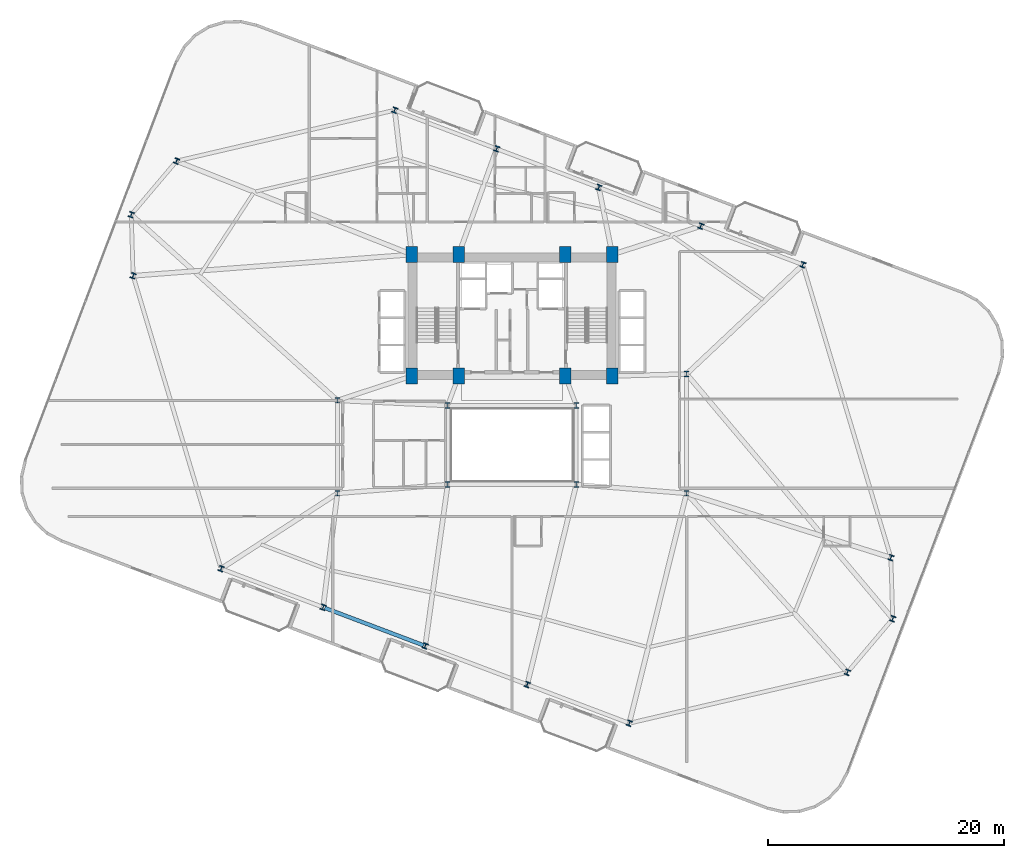
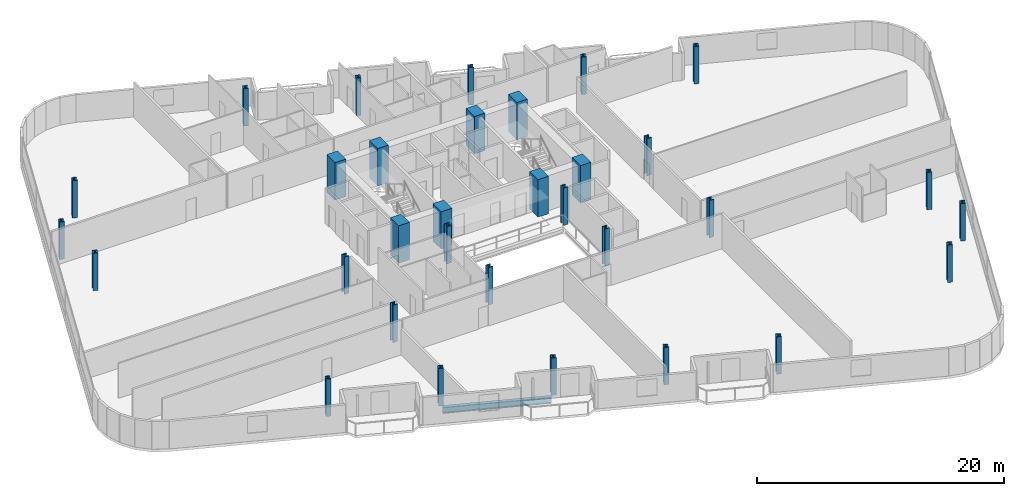
# One storey, part 1 of 24: 32 columns, 1 beam.
"""IFC4 building model written with IfcOpenShell, lengths in metres."""

from ifc_helpers import new_model, si_unit, direction, frame, origin, origin_2d, place, context, subcontext, project, spatial, rectangle, i_section, extrude, material, material_profile, profile_set, type_object, element, save


model = new_model("IFC4")

# Units and contexts
model_context = context("Model", 3, precision=1e-05, world=origin(), true_north=direction((0.0, 1.0)))
body_context = subcontext(model_context, "Body", "Model", "MODEL_VIEW")
ifc_project = project(units=[si_unit("LENGTHUNIT", "METRE"), si_unit("AREAUNIT", "SQUARE_METRE"), si_unit("VOLUMEUNIT", "CUBIC_METRE"), si_unit("PLANEANGLEUNIT", "RADIAN"), si_unit("MASSUNIT", "GRAM", prefix="KILO")], contexts=[model_context])

# Site, building, storey
site_placement = place(None, origin())
site = spatial("IfcSite", under=ifc_project, at=site_placement, CompositionType="ELEMENT")
building_placement = place(site_placement, origin())
building = spatial("IfcBuilding", under=site, at=building_placement, Name="Varnelok Gate Tower", CompositionType="ELEMENT")
storey_placement = place(building_placement, frame((0.0, 0.0, 98.39990234375)))
storey = spatial("IfcBuildingStorey", under=building, at=storey_placement, Name="L24", CompositionType="ELEMENT", Elevation=98.39990234375)

# Columns
ifc_material_1 = material(Name="Concrete C70/85", Category="concrete")
ifc_material_profile_1 = material_profile(ifc_material_1, rectangle(XDim=1.0, YDim=1.35009765625, at=origin_2d()), Name="RC1350X1000")
ifc_profile_set_1 = profile_set([ifc_material_profile_1], Name="Concrete C70/85")
column_type_1 = type_object("IfcColumnType", Name="COL-RC1350X1000", PredefinedType="COLUMN", material=ifc_profile_set_1)
for number, where, z_axis, x_axis, name in (
    (1, (30.699951171875, 28.75, 0.0), (0.0, 0.0, 1.0), (1.0, 0.0, 0.0), "L24 Core Spine Column SC1"),
    (2, (34.679931640625, 28.75, 0.0), (0.0, 0.0, 1.0), (1.0, 0.0, 0.0), "L24 Core Spine Column SC2"),
    (3, (43.719970703125, 28.75, 0.0), (0.0, 0.0, 1.0), (1.0, 0.0, 0.0), "L24 Core Spine Column SC3"),
    (4, (47.699951171875, 28.75, 0.0), (0.0, 0.0, 1.0), (1.0, 0.0, 0.0), "L24 Core Spine Column SC4"),
    (5, (30.699951171875, 39.050048828125, 0.0), (0.0, 0.0, 1.0), (1.0, 0.0, 0.0), "L24 Core Spine Column SC5"),
    (6, (34.679931640625, 39.050048828125, 0.0), (0.0, 0.0, 1.0), (1.0, 0.0, 0.0), "L24 Core Spine Column SC6"),
    (7, (43.719970703125, 39.050048828125, 0.0), (0.0, 0.0, 1.0), (1.0, 0.0, 0.0), "L24 Core Spine Column SC7"),
    (8, (47.699951171875, 39.050048828125, 0.0), (0.0, 0.0, 1.0), (1.0, 0.0, 0.0), "L24 Core Spine Column SC8"),
):
    element("IfcColumn", number, at=place(storey_placement, frame(where, z_axis=z_axis, x_axis=x_axis)), inside=storey, type_object=column_type_1, Name=name, PredefinedType="COLUMN", context=body_context, shape_type="SweptSolid", body=[
        extrude(rectangle(XDim=1.0, YDim=1.35009765625, at=origin_2d()), origin(), (0.0, 0.0, 1.0), 3.7001953125),
    ])
ifc_material_2 = material(Name="Structural Steel ASTM A992 Grade 50", Category="steel")
ifc_material_profile_2 = material_profile(ifc_material_2, i_section(OverallWidth=0.424072265625, OverallDepth=0.47412109375, WebThickness=0.047607421875, FlangeThickness=0.0771484375, FilletRadius=0.02490234375, at=origin_2d()), Name="W14X426")
ifc_profile_set_2 = profile_set([ifc_material_profile_2], Name="Structural Steel ASTM A992 Grade 50")
column_type_2 = type_object("IfcColumnType", Name="COL-W14X426", PredefinedType="COLUMN", material=ifc_profile_set_2)
for number, where, z_axis, x_axis, name in (
    (9, (33.75, 19.550048828125, 0.0), (0.0, 0.0, 1.0), (1.0, 0.0, 0.0), "L24 Atrium Spine Column AC1"),
    (10, (44.64990234375, 19.550048828125, 0.0), (0.0, 0.0, 1.0), (1.0, 0.0, 0.0), "L24 Atrium Spine Column AC2"),
    (11, (33.75, 26.25, 0.0), (0.0, 0.0, 1.0), (1.0, 0.0, 0.0), "L24 Atrium Spine Column AC3"),
    (12, (44.64990234375, 26.25, 0.0), (0.0, 0.0, 1.0), (1.0, 0.0, 0.0), "L24 Atrium Spine Column AC4"),
    (13, (24.39990234375, 18.800048828125, 0.0), (0.0, 0.0, 1.0), (1.0, 0.0, 0.0), "L24 Wing Spine Column WS1"),
    (14, (24.39990234375, 26.679931640625, 0.0), (0.0, 0.0, 1.0), (1.0, 0.0, 0.0), "L24 Wing Spine Column WS2"),
    (15, (54.0, 18.800048828125, 0.0), (0.0, 0.0, 1.0), (1.0, 0.0, 0.0), "L24 Wing Spine Column ES1"),
    (16, (54.0, 28.919921875, 0.0), (0.0, 0.0, 1.0), (1.0, 0.0, 0.0), "L24 Wing Spine Column ES2"),
    (17, (14.541015625, 12.416259765625, 0.0), (0.0, 0.0, 1.0), (0.935221751401, -0.354062530786, 0.0), "L24 B2 Perimeter Column PC01"),
    (18, (23.19189453125, 9.14111328125, 0.0), (0.0, 0.0, 1.0), (0.935221751401, -0.354062530786, 0.0), "L24 B2 Perimeter Column PC02"),
    (19, (31.842529296875, 5.8662109375, 0.0), (0.0, 0.0, 1.0), (0.935221751401, -0.354062530786, 0.0), "L24 B2 Perimeter Column PC03"),
    (20, (40.493408203125, 2.591064453125, 0.0), (0.0, 0.0, 1.0), (0.935221751401, -0.354062530786, 0.0), "L24 B2 Perimeter Column PC04"),
    (21, (49.144287109375, -0.68408203125, 0.0), (0.0, 0.0, 1.0), (0.935221751401, -0.354062530786, 0.0), "L24 B2 Perimeter Column PC05"),
    (22, (67.63671875, 3.627685546875, 0.0), (0.0, 0.0, 1.0), (0.935221751401, -0.354062530786, 0.0), "L24 B2 Perimeter Column PC06"),
    (23, (71.4765625, 8.172607421875, 0.0), (0.0, 0.0, 1.0), (0.935221751401, -0.354062530786, 0.0), "L24 B2 Perimeter Column PC07"),
    (24, (71.319091796875, 13.35400390625, 0.0), (0.0, 0.0, 1.0), (0.935221751401, -0.354062530786, 0.0), "L24 B2 Perimeter Column PC08"),
    (25, (63.85888671875, 38.183837890625, 0.0), (0.0, 0.0, 1.0), (0.935221751401, -0.354062530786, 0.0), "L24 B2 Perimeter Column PC09"),
    (26, (55.208251953125, 41.458740234375, 0.0), (0.0, 0.0, 1.0), (0.935221751401, -0.354062530786, 0.0), "L24 B2 Perimeter Column PC10"),
    (27, (46.557373046875, 44.73388671875, 0.0), (0.0, 0.0, 1.0), (0.935221751401, -0.354062530786, 0.0), "L24 B2 Perimeter Column PC11"),
    (28, (37.906494140625, 48.009033203125, 0.0), (0.0, 0.0, 1.0), (0.935221751401, -0.354062530786, 0.0), "L24 B2 Perimeter Column PC12"),
    (29, (29.255859375, 51.2841796875, 0.0), (0.0, 0.0, 1.0), (0.935221751401, -0.354062530786, 0.0), "L24 B2 Perimeter Column PC13"),
    (30, (10.76318359375, 46.972412109375, 0.0), (0.0, 0.0, 1.0), (0.935221751401, -0.354062530786, 0.0), "L24 B2 Perimeter Column PC14"),
    (31, (6.92333984375, 42.427490234375, 0.0), (0.0, 0.0, 1.0), (0.935221751401, -0.354062530786, 0.0), "L24 B2 Perimeter Column PC15"),
    (32, (7.0810546875, 37.24609375, 0.0), (0.0, 0.0, 1.0), (0.935221751401, -0.354062530786, 0.0), "L24 B2 Perimeter Column PC16"),
):
    element("IfcColumn", number, at=place(storey_placement, frame(where, z_axis=z_axis, x_axis=x_axis)), inside=storey, type_object=column_type_2, Name=name, PredefinedType="COLUMN", context=body_context, shape_type="SweptSolid", body=[
        extrude(i_section(OverallWidth=0.424072265625, OverallDepth=0.47412109375, WebThickness=0.047607421875, FlangeThickness=0.0771484375, FilletRadius=0.02490234375, at=origin_2d()), origin(), (0.0, 0.0, 1.0), 3.7001953125),
    ])

# Beam
ifc_material_profile_3 = material_profile(ifc_material_2, i_section(OverallWidth=0.323974609375, OverallDepth=0.611083984375, WebThickness=0.0126953125, FlangeThickness=0.01904296875, FilletRadius=0.01806640625, at=origin_2d()), Name="W24X104")
ifc_profile_set_3 = profile_set([ifc_material_profile_3], Name="Structural Steel ASTM A992 Grade 50")
beam_type = type_object("IfcBeamType", Name="BM-SPN-W24X104", PredefinedType="SPANDREL", material=ifc_profile_set_3)
beam_placement = place(storey_placement, frame((23.33203125, 9.088134765625, -0.555419921875), z_axis=(0.935220356141, -0.354066216208, 0.0), x_axis=(0.354066216208, 0.935220356141, 0.0)))
element("IfcBeam", 33, at=beam_placement, inside=storey, type_object=beam_type, Name="L24 Perimeter Spandrel Beam 2", PredefinedType="SPANDREL", context=body_context, shape_type="SweptSolid", body=[
    extrude(i_section(OverallWidth=0.323974609375, OverallDepth=0.611083984375, WebThickness=0.0126953125, FlangeThickness=0.01904296875, FilletRadius=0.01806640625, at=origin_2d()), origin(), (0.0, 0.0, 1.0), 8.9501953125),
])

save(model, "model.ifc")
